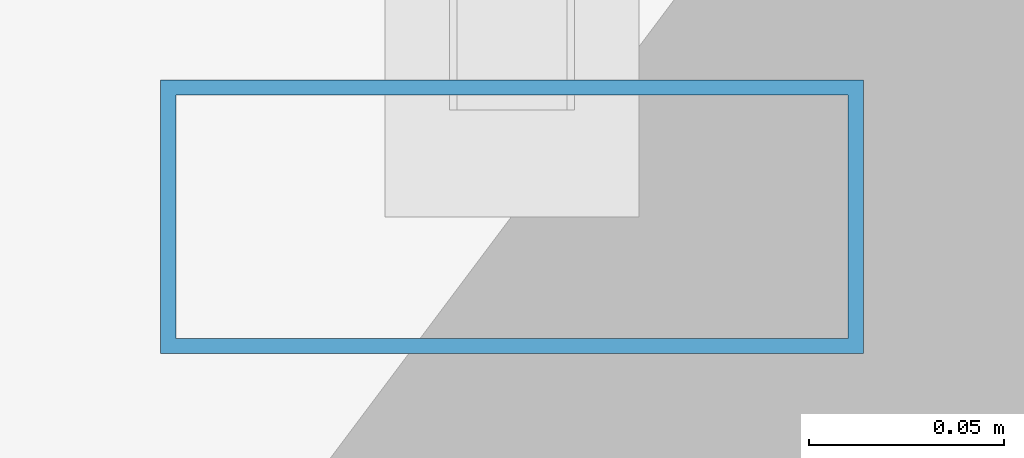
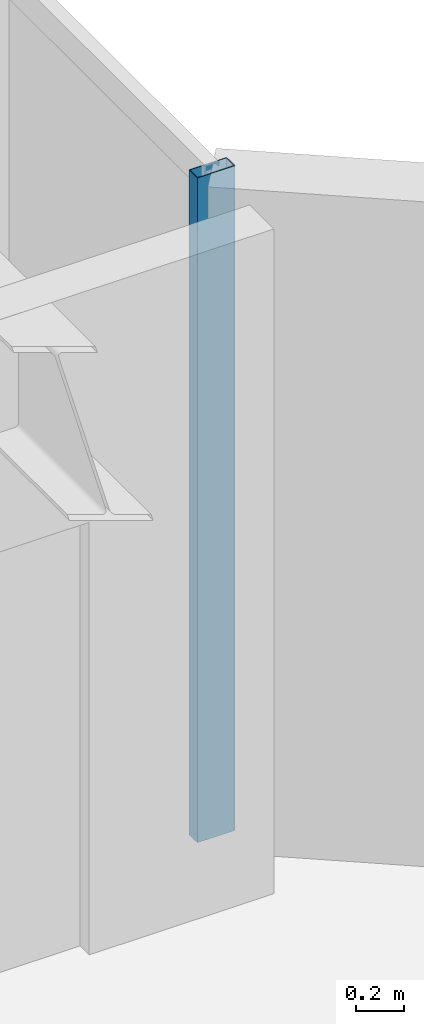
# One storey, part 10 of 25: 1 member, 1 element without a shape of its own.
"""IFC4 building model written with IfcOpenShell, lengths in metres."""

from ifc_helpers import new_model, si_unit, direction, frame, origin, origin_2d, place, context, subcontext, project, spatial, hollow_rectangle, extrude, material, layer, layer_set, material_profile, profile_set, type_object, element, aggregate, save


model = new_model("IFC4")

# Units and contexts
model_context = context("Model", 3, precision=1e-05, world=origin(), true_north=direction((0.0, 1.0)))
body_context = subcontext(model_context, "Body", "Model", "MODEL_VIEW")
ifc_project = project(units=[si_unit("LENGTHUNIT", "METRE"), si_unit("AREAUNIT", "SQUARE_METRE"), si_unit("VOLUMEUNIT", "CUBIC_METRE"), si_unit("PLANEANGLEUNIT", "RADIAN"), si_unit("MASSUNIT", "GRAM", prefix="KILO")], contexts=[model_context])

# Site, building, storey
site_placement = place(None, origin())
site = spatial("IfcSite", under=ifc_project, at=site_placement, CompositionType="ELEMENT")
building_placement = place(site_placement, origin())
building = spatial("IfcBuilding", under=site, at=building_placement, Name="Hatsunagi Terrace Concourse", CompositionType="ELEMENT")
storey_placement = place(building_placement, frame((0.0, 0.0, 216.75)))
storey = spatial("IfcBuildingStorey", under=building, at=storey_placement, Name="L57", CompositionType="ELEMENT", Elevation=216.75)

# Curtain wall, member
ifc_material_1 = material(Name="Anodised Aluminium Alloy 6063-T5", Category="aluminium")
ifc_layer = layer(ifc_material_1, 0.199951171875)
ifc_layer_set = layer_set([ifc_layer], Name="OfficeZone2_CW04")
curtain_wall_type = type_object("IfcCurtainWallType", Name="OfficeZone2_CW04", PredefinedType="NOTDEFINED", material=ifc_layer_set)
curtain_wall_placement = place(storey_placement, origin())
curtain_wall = element("IfcCurtainWall", 1, at=curtain_wall_placement, inside=storey, type_object=curtain_wall_type, Name="Unitised Curtain Wall CW-04 CW-L57-12", PredefinedType="NOTDEFINED")
ifc_material_2 = material(Name="Anodised Aluminium Alloy 6063-T5", Category="aluminium")
ifc_material_profile = material_profile(ifc_material_2, hollow_rectangle(XDim=0.070068359375, YDim=0.179931640625, WallThickness=0.00390625, at=origin_2d()), Name="ALU-MUL-180x70x4")
ifc_profile_set = profile_set([ifc_material_profile], Name="Anodised Aluminium Alloy 6063-T5")
member_type = type_object("IfcMemberType", Name="CurtainWallMullion_180x70", PredefinedType="MULLION", material=ifc_profile_set)
member_placement = place(storey_placement, frame((44.860107421875, 40.72998046875, 0.0), z_axis=(0.0, 0.0, 1.0), x_axis=(0.0, -1.0, 0.0)))
member = element("IfcMember", 2, at=member_placement, type_object=member_type, Name="Curtain Wall Mullion MUL-02", PredefinedType="MULLION", context=body_context, shape_type="SweptSolid", body=[
    extrude(hollow_rectangle(XDim=0.070068359375, YDim=0.179931640625, WallThickness=0.00390625, at=origin_2d()), origin(), (0.0, 0.0, 1.0), 3.35009765625),
])
aggregate(curtain_wall, [member])

save(model, "model.ifc")
